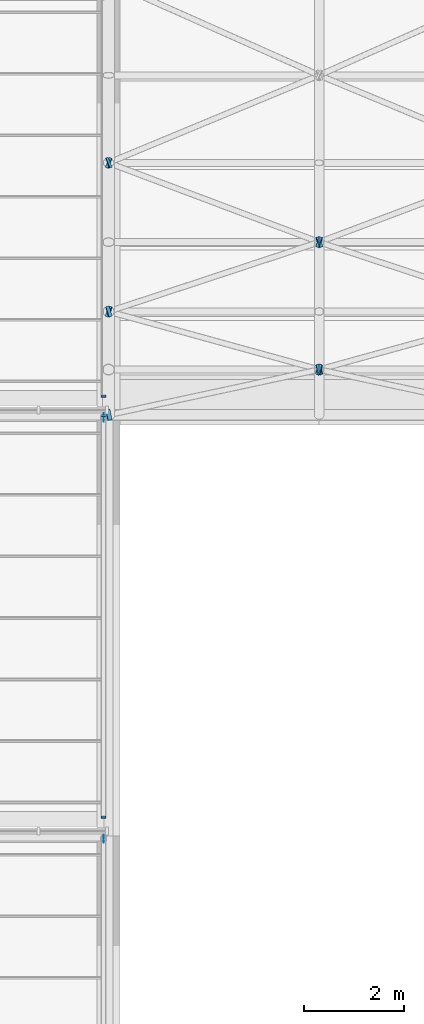
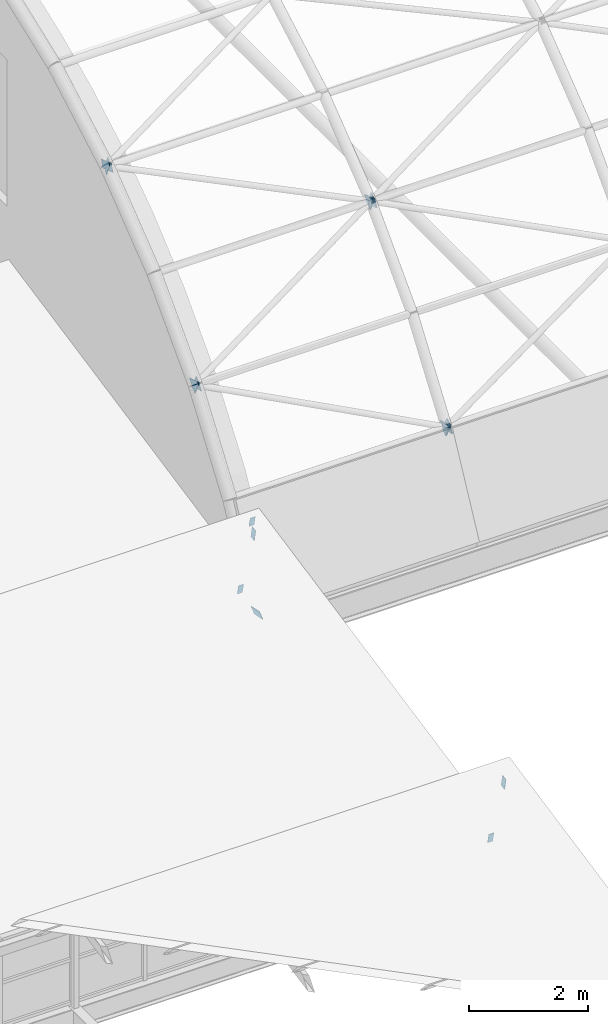
# One storey, part 100 of 121: 18 discrete accessories.
"""IFC4 building model written with IfcOpenShell, lengths in metres."""

from ifc_helpers import new_model, si_unit, direction, frame, origin, origin_2d, place, context, subcontext, project, spatial, rectangle, extrude, material, material_profile, profile_set, type_object, element, save


model = new_model("IFC4")

# Units and contexts
model_context = context("Model", 3, precision=1e-05, world=origin(), true_north=direction((0.0, 1.0)))
body_context = subcontext(model_context, "Body", "Model", "MODEL_VIEW")
ifc_project = project(units=[si_unit("LENGTHUNIT", "METRE"), si_unit("AREAUNIT", "SQUARE_METRE"), si_unit("VOLUMEUNIT", "CUBIC_METRE"), si_unit("PLANEANGLEUNIT", "RADIAN"), si_unit("MASSUNIT", "GRAM", prefix="KILO")], contexts=[model_context])

# Site, building, storey
site_placement = place(None, origin())
site = spatial("IfcSite", under=ifc_project, at=site_placement, CompositionType="ELEMENT")
building_placement = place(site_placement, origin())
building = spatial("IfcBuilding", under=site, at=building_placement, Name="Ardhachandra Cancer Care Centre", CompositionType="ELEMENT")
storey_placement = place(building_placement, frame((0.0, 0.0, 9.0)))
storey = spatial("IfcBuildingStorey", under=building, at=storey_placement, Name="L02", CompositionType="ELEMENT", Elevation=9.0)

# Discrete accessories
ifc_material_1 = material(Name="Steel E250 (IS 2062)", Category="steel")
ifc_material_profile_1 = material_profile(ifc_material_1, rectangle(XDim=0.21435546875, YDim=0.21435546875, at=origin_2d()), Name="PL 214x214x12")
ifc_profile_set_1 = profile_set([ifc_material_profile_1], Name="Steel E250 (IS 2062)")
discrete_accessory_type_1 = type_object("IfcDiscreteAccessoryType", Name="Diagonal end plate 214 x 214 x 12", PredefinedType="BRACKET", material=ifc_profile_set_1)
discrete_accessory_1_placement = place(storey_placement, frame((44.39990234375, 54.60009765625, 0.0), z_axis=(0.905999460427, 0.181199892085, 0.382533105514), x_axis=(-0.196116135138, 0.980580675691, 0.0)))
element("IfcDiscreteAccessory", 1, at=discrete_accessory_1_placement, inside=storey, type_object=discrete_accessory_type_1, Name="Diagonal end plate Hall shell diagonal 00-00 1", PredefinedType="BRACKET", context=body_context, shape_type="SweptSolid", body=[
    extrude(rectangle(XDim=0.21435546875, YDim=0.21435546875, at=origin_2d()), origin(), (0.0, 0.0, 1.0), 0.01220703125),
])
discrete_accessory_2_placement = place(storey_placement, frame((48.60009765625, 55.5048828125, 1.788818359375), z_axis=(-0.909322885136, -0.202071752252, -0.363729154054), x_axis=(0.216930457819, -0.976187060184, 0.0)))
element("IfcDiscreteAccessory", 2, at=discrete_accessory_2_placement, inside=storey, type_object=discrete_accessory_type_1, Name="Diagonal end plate Hall shell diagonal 00-00 2", PredefinedType="BRACKET", context=body_context, shape_type="SweptSolid", body=[
    extrude(rectangle(XDim=0.21435546875, YDim=0.21435546875, at=origin_2d()), origin(), (0.0, 0.0, 1.0), 0.011962890625),
])
for number, where, z_axis, x_axis, name in (
    (3, (48.60009765625, 55.5048828125, 1.788818359375), (-0.901262652189, 0.24033670725, 0.360505060876), (-0.25766265056, -0.966234939601, 0.0), "Diagonal end plate Hall shell diagonal 01-01 1"),
    (4, (44.39990234375, 56.662109375, 3.426025390625), (0.903075694963, -0.260888534101, -0.341161929208), (0.277539652821, 0.960714182841, 0.0), "Diagonal end plate Hall shell diagonal 01-01 2"),
):
    element("IfcDiscreteAccessory", number, at=place(storey_placement, frame(where, z_axis=z_axis, x_axis=x_axis)), inside=storey, type_object=discrete_accessory_type_1, Name=name, PredefinedType="BRACKET", context=body_context, shape_type="SweptSolid", body=[
        extrude(rectangle(XDim=0.21435546875, YDim=0.21435546875, at=origin_2d()), origin(), (0.0, 0.0, 1.0), 0.01220703125),
    ])
for number, where, z_axis, x_axis, name in (
    (5, (44.39990234375, 56.662109375, 3.426025390625), (0.909880352984, 0.283073887595, 0.303293450995), (-0.297066552636, 0.954856776331, 0.0), "Diagonal end plate Hall shell diagonal 00-02 1"),
    (6, (48.60009765625, 58.04638671875, 4.8759765625), (-0.909880352984, -0.283073887595, -0.303293450995), (0.297066552636, -0.954856776331, 0.0), "Diagonal end plate Hall shell diagonal 00-02 2"),
):
    element("IfcDiscreteAccessory", number, at=place(storey_placement, frame(where, z_axis=z_axis, x_axis=x_axis)), inside=storey, type_object=discrete_accessory_type_1, Name=name, PredefinedType="BRACKET", context=body_context, shape_type="SweptSolid", body=[
        extrude(rectangle(XDim=0.21435546875, YDim=0.21435546875, at=origin_2d()), origin(), (0.0, 0.0, 1.0), 0.011962890625),
    ])
for number, where, z_axis, x_axis, name in (
    (7, (48.60009765625, 58.04638671875, 4.8759765625), (-0.903075694963, 0.341161929208, 0.260888534101), (-0.353400568719, -0.935472093667, 0.0), "Diagonal end plate Hall shell diagonal 01-03 1"),
    (8, (44.39990234375, 59.62841796875, 6.107421875), (0.903075694963, -0.341161929208, -0.260888534101), (0.353400568719, 0.935472093667, 0.0), "Diagonal end plate Hall shell diagonal 01-03 2"),
    (9, (44.39990234375, 59.62841796875, 6.107421875), (0.905449091159, 0.362179636463, 0.221332000061), (-0.371390676354, 0.928476690885, 0.0), "Diagonal end plate Hall shell diagonal 00-04 1"),
):
    element("IfcDiscreteAccessory", number, at=place(storey_placement, frame(where, z_axis=z_axis, x_axis=x_axis)), inside=storey, type_object=discrete_accessory_type_1, Name=name, PredefinedType="BRACKET", context=body_context, shape_type="SweptSolid", body=[
        extrude(rectangle(XDim=0.21435546875, YDim=0.21435546875, at=origin_2d()), origin(), (0.0, 0.0, 1.0), 0.01220703125),
    ])
for number, where, z_axis, x_axis, name in (
    (10, (48.60009765625, 55.5048828125, 1.788818359375), (0.905725666552, -0.205846742398, -0.370524136317), (0.221621103589, 0.975132855791, 0.0), "Diagonal end plate Hall shell diagonal 02-00 2"),
    (11, (48.60009765625, 55.5048828125, 1.788818359375), (0.897398718093, 0.244745104934, 0.367117657402), (-0.263117405792, 0.964763821238, 0.0), "Diagonal end plate Hall shell diagonal 01-01 1"),
    (12, (48.60009765625, 58.04638671875, 4.8759765625), (0.906301889068, -0.288368782885, -0.308966553091), (0.303203657277, 0.952925780013, 0.0), "Diagonal end plate Hall shell diagonal 02-02 2"),
    (13, (48.60009765625, 58.04638671875, 4.8759765625), (0.899271031245, 0.347445625708, 0.265693713777), (-0.360399279202, 0.932798134406, 0.0), "Diagonal end plate Hall shell diagonal 01-03 1"),
):
    element("IfcDiscreteAccessory", number, at=place(storey_placement, frame(where, z_axis=z_axis, x_axis=x_axis)), inside=storey, type_object=discrete_accessory_type_1, Name=name, PredefinedType="BRACKET", context=body_context, shape_type="SweptSolid", body=[
        extrude(rectangle(XDim=0.21435546875, YDim=0.21435546875, at=origin_2d()), origin(), (0.0, 0.0, 1.0), 0.011962890625),
    ])
ifc_material_2 = material(Name="Galvanised flat steel (Steel E250 (IS 2062))", Category="steel")
ifc_material_profile_2 = material_profile(ifc_material_2, rectangle(XDim=0.10009765625, YDim=0.199951171875, at=origin_2d()), Name="Rafter end plate 200 x 100 x 8")
ifc_profile_set_2 = profile_set([ifc_material_profile_2], Name="Galvanised flat steel (Steel E250 (IS 2062))")
discrete_accessory_type_2 = type_object("IfcDiscreteAccessoryType", Name="Rafter end plate 200 x 100 x 8", PredefinedType="BRACKET", material=ifc_profile_set_2)
for number, where, z_axis, x_axis, name in (
    (14, (44.300048828125, 46.580078125, 0.298095703125), (0.0, -0.976900017396, -0.213696878805), (1.0, 0.0, 0.0), "Rafter end plate T3a.13.1"),
    (15, (44.300048828125, 54.580078125, 1.91796875), (0.0, 0.976900017396, 0.213696878805), (-1.0, 0.0, 0.0), "Rafter end plate T3a.13.2"),
    (16, (44.300048828125, 54.980224609375, 0.298095703125), (0.0, -0.976900017396, -0.213696878805), (1.0, 0.0, 0.0), "Rafter end plate T4a.13.1"),
):
    element("IfcDiscreteAccessory", number, at=place(storey_placement, frame(where, z_axis=z_axis, x_axis=x_axis)), inside=storey, type_object=discrete_accessory_type_2, Name=name, PredefinedType="BRACKET", context=body_context, shape_type="SweptSolid", body=[
        extrude(rectangle(XDim=0.10009765625, YDim=0.199951171875, at=origin_2d()), origin(), (0.0, 0.0, 1.0), 0.008056640625),
    ])
ifc_material_3 = material(Name="Galvanised flat steel (Steel E250 (IS 2062))", Category="steel")
ifc_material_profile_3 = material_profile(ifc_material_3, rectangle(XDim=0.1201171875, YDim=0.239990234375, at=origin_2d()), Name="Ridge beam end plate 240 x 120 x 8")
ifc_profile_set_3 = profile_set([ifc_material_profile_3], Name="Galvanised flat steel (Steel E250 (IS 2062))")
discrete_accessory_type_3 = type_object("IfcDiscreteAccessoryType", Name="Ridge beam end plate 240 x 120 x 8", PredefinedType="BRACKET", material=ifc_profile_set_3)
for number, where, z_axis, x_axis, name in (
    (17, (44.300048828125, 46.14990234375, 1.6875), (1.0, 0.0, 0.0), (0.0, 0.980106641092, 0.198471590126), "Ridge beam end plate T2a.2"),
    (18, (44.300048828125, 54.550048828125, 1.6875), (1.0, 0.0, 0.0), (0.0, 0.980106641092, 0.198471590126), "Ridge beam end plate T3a.2"),
):
    element("IfcDiscreteAccessory", number, at=place(storey_placement, frame(where, z_axis=z_axis, x_axis=x_axis)), inside=storey, type_object=discrete_accessory_type_3, Name=name, PredefinedType="BRACKET", context=body_context, shape_type="SweptSolid", body=[
        extrude(rectangle(XDim=0.1201171875, YDim=0.239990234375, at=origin_2d()), origin(), (0.0, 0.0, 1.0), 0.008056640625),
    ])

save(model, "model.ifc")
